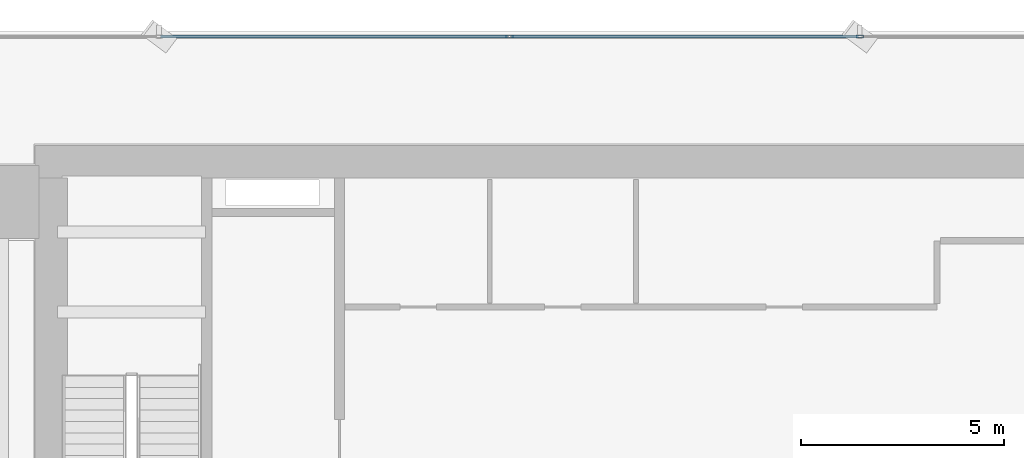
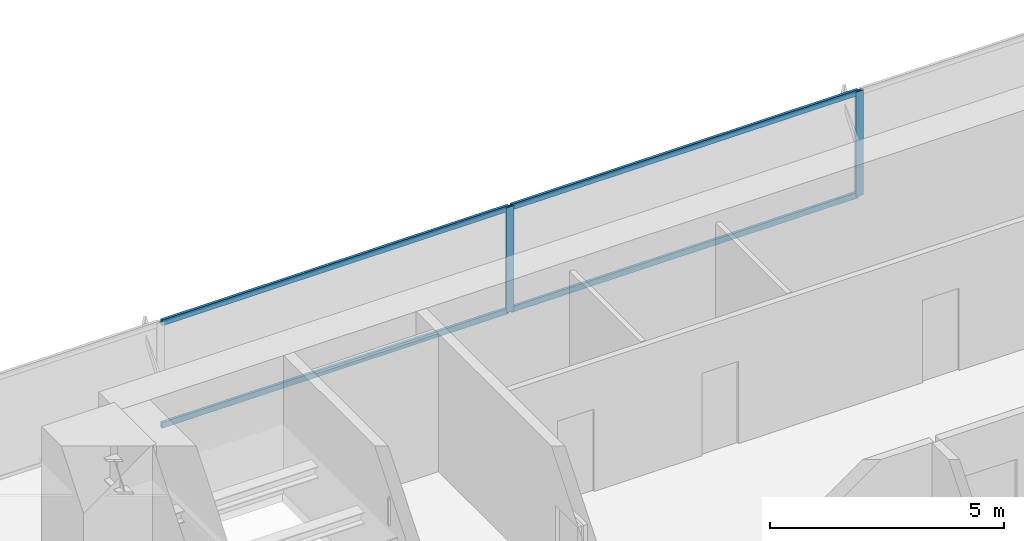
# One storey, part 19 of 33: 6 members, 1 element without a shape of its own.
"""IFC4 building model written with IfcOpenShell, lengths in metres."""

from ifc_helpers import new_model, si_unit, direction, frame, origin, origin_2d, place, context, subcontext, project, spatial, hollow_rectangle, extrude, source, transform, mapped, material, layer, layer_set, material_profile, profile_set, type_object, element, aggregate, save


model = new_model("IFC4")

# Units and contexts
model_context = context("Model", 3, precision=1e-05, world=origin(), true_north=direction((0.0, 1.0)))
body_context = subcontext(model_context, "Body", "Model", "MODEL_VIEW")
ifc_project = project(units=[si_unit("LENGTHUNIT", "METRE"), si_unit("AREAUNIT", "SQUARE_METRE"), si_unit("VOLUMEUNIT", "CUBIC_METRE"), si_unit("PLANEANGLEUNIT", "RADIAN"), si_unit("MASSUNIT", "GRAM", prefix="KILO")], contexts=[model_context])

# Site, building, storey
site_placement = place(None, origin())
site = spatial("IfcSite", under=ifc_project, at=site_placement, CompositionType="ELEMENT")
building_placement = place(site_placement, origin())
building = spatial("IfcBuilding", under=site, at=building_placement, Name="Sumidabori Civic Tower", CompositionType="ELEMENT")
storey_placement = place(building_placement, frame((0.0, 0.0, 27.199951171875)))
storey = spatial("IfcBuildingStorey", under=building, at=storey_placement, Name="L06", CompositionType="ELEMENT", Elevation=27.199951171875)

# Curtain wall, members
ifc_material = material(Name="Anodised Bronze Aluminium AW-6063-T6", Category="aluminium")
ifc_layer = layer(ifc_material, 0.179931640625, Name="Anodised Bronze Aluminium AW-6063-T6")
ifc_layer_set = layer_set([ifc_layer], Name="Anodised Bronze Aluminium AW-6063-T6")
curtain_wall_type = type_object("IfcCurtainWallType", Name="CW-SYS-2", PredefinedType="NOTDEFINED", material=ifc_layer_set)
curtain_wall_placement = place(storey_placement, origin())
curtain_wall = element("IfcCurtainWall", 1, at=curtain_wall_placement, inside=storey, type_object=curtain_wall_type, Name="Curtain Wall CW:L06:R07", PredefinedType="NOTDEFINED")
ifc_material_profile_1 = material_profile(ifc_material, hollow_rectangle(XDim=0.070068359375, YDim=0.179931640625, WallThickness=0.006103515625, at=origin_2d()), Name="ALU MULLION 180x70")
ifc_profile_set_1 = profile_set([ifc_material_profile_1], Name="Anodised Bronze Aluminium AW-6063-T6")
member_type_1 = type_object("IfcMemberType", Name="CW-MUL-180", PredefinedType="MULLION", material=ifc_profile_set_1)
shared_shape_1 = source(origin(), body_context, "Body", "SweptSolid", [
    extrude(hollow_rectangle(XDim=0.070068359375, YDim=0.179931640625, WallThickness=0.006103515625, at=origin_2d()), origin(), (0.0, 0.0, 1.0), 2.739990234375),
])
member_1_placement = place(storey_placement, frame((4.31396484375, 26.8798828125, 0.0), z_axis=(0.0, 0.0, 1.0), x_axis=(0.0, -1.0, 0.0)))
member_1 = element("IfcMember", 2, at=member_1_placement, type_object=member_type_1, Name="CW-2 mullion 3", PredefinedType="MULLION", context=body_context, shape_type="MappedRepresentation", body=[
    mapped(shared_shape_1, transform((0.0, 0.0, 0.0), x_axis=(1.0, 0.0, 0.0), y_axis=(0.0, 1.0, 0.0), z_axis=(0.0, 0.0, 1.0), scale=1.0)),
])
member_2_placement = place(storey_placement, frame((-4.31396484375, 26.8798828125, 0.0), z_axis=(0.0, 0.0, 1.0), x_axis=(0.0, -1.0, 0.0)))
member_2 = element("IfcMember", 3, at=member_2_placement, type_object=member_type_1, Name="CW-2 mullion 4", PredefinedType="MULLION", context=body_context, shape_type="MappedRepresentation", body=[
    mapped(shared_shape_1, transform((0.0, 0.0, 0.0), x_axis=(1.0, 0.0, 0.0), y_axis=(0.0, 1.0, 0.0), z_axis=(0.0, 0.0, 1.0), scale=1.0)),
])
ifc_material_profile_2 = material_profile(ifc_material, hollow_rectangle(XDim=0.06494140625, YDim=0.14990234375, WallThickness=0.0048828125, at=origin_2d()), Name="ALU TRANSOM 150x65")
ifc_profile_set_2 = profile_set([ifc_material_profile_2], Name="Anodised Bronze Aluminium AW-6063-T6")
member_type_2 = type_object("IfcMemberType", Name="CW-TRN-150", PredefinedType="USERDEFINED", material=ifc_profile_set_2)
shared_shape_2 = source(origin(), body_context, "Body", "SweptSolid", [
    extrude(hollow_rectangle(XDim=0.06494140625, YDim=0.14990234375, WallThickness=0.0048828125, at=origin_2d()), origin(), (0.0, 0.0, 1.0), 8.557861328125),
])
member_3_placement = place(storey_placement, frame((-4.34912109375, 26.8798828125, 0.032470703125), z_axis=(-1.0, 0.0, 0.0), x_axis=(0.0, -1.0, 0.0)))
member_3 = element("IfcMember", 4, at=member_3_placement, type_object=member_type_2, Name="CW-2 transom 4.1", ObjectType="TRANSOM", PredefinedType="USERDEFINED", context=body_context, shape_type="MappedRepresentation", body=[
    mapped(shared_shape_2, transform((0.0, 0.0, 0.0), x_axis=(1.0, 0.0, 0.0), y_axis=(0.0, 1.0, 0.0), z_axis=(0.0, 0.0, 1.0), scale=1.0)),
])
member_4_placement = place(storey_placement, frame((-4.34912109375, 26.8798828125, 2.70751953125), z_axis=(-1.0, 0.0, 0.0), x_axis=(0.0, -1.0, 0.0)))
member_4 = element("IfcMember", 5, at=member_4_placement, type_object=member_type_2, Name="CW-2 transom 4.2", ObjectType="TRANSOM", PredefinedType="USERDEFINED", context=body_context, shape_type="MappedRepresentation", body=[
    mapped(shared_shape_2, transform((0.0, 0.0, 0.0), x_axis=(1.0, 0.0, 0.0), y_axis=(0.0, 1.0, 0.0), z_axis=(0.0, 0.0, 1.0), scale=1.0)),
])
shared_shape_3 = source(origin(), body_context, "Body", "SweptSolid", [
    extrude(hollow_rectangle(XDim=0.06494140625, YDim=0.14990234375, WallThickness=0.0048828125, at=origin_2d()), origin(), (0.0, 0.0, 1.0), 8.55810546875),
])
member_5_placement = place(storey_placement, frame((4.279052734375, 26.8798828125, 0.032470703125), z_axis=(-1.0, 0.0, 0.0), x_axis=(0.0, -1.0, 0.0)))
member_5 = element("IfcMember", 6, at=member_5_placement, type_object=member_type_2, Name="CW-2 transom 3.1", ObjectType="TRANSOM", PredefinedType="USERDEFINED", context=body_context, shape_type="MappedRepresentation", body=[
    mapped(shared_shape_3, transform((0.0, 0.0, 0.0), x_axis=(1.0, 0.0, 0.0), y_axis=(0.0, 1.0, 0.0), z_axis=(0.0, 0.0, 1.0), scale=1.0)),
])
member_6_placement = place(storey_placement, frame((4.279052734375, 26.8798828125, 2.70751953125), z_axis=(-1.0, 0.0, 0.0), x_axis=(0.0, -1.0, 0.0)))
member_6 = element("IfcMember", 7, at=member_6_placement, type_object=member_type_2, Name="CW-2 transom 3.2", ObjectType="TRANSOM", PredefinedType="USERDEFINED", context=body_context, shape_type="MappedRepresentation", body=[
    mapped(shared_shape_3, transform((0.0, 0.0, 0.0), x_axis=(1.0, 0.0, 0.0), y_axis=(0.0, 1.0, 0.0), z_axis=(0.0, 0.0, 1.0), scale=1.0)),
])
aggregate(curtain_wall, [member_1, member_2, member_5, member_6, member_3, member_4])

save(model, "model.ifc")
